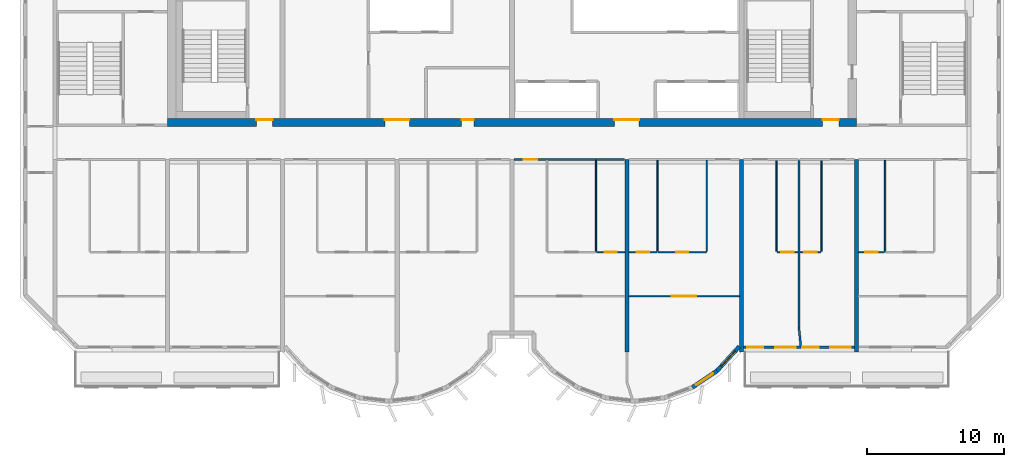
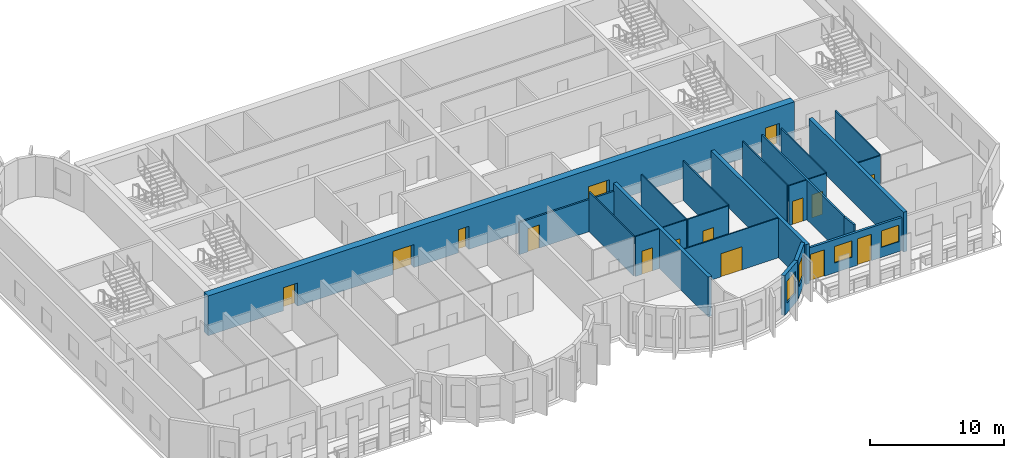
# One storey, part 5 of 12: 23 walls, 15 doors, 4 windows, 19 openings.
"""IFC4 building model written with IfcOpenShell, lengths in metres."""

from ifc_helpers import new_model, si_unit, direction, frame, frame_2d, origin, place, context, subcontext, project, spatial, rectangle, extrude, source, transform, mapped, material, layer, layer_set, type_object, element, fill, save


model = new_model("IFC4")

# Units and contexts
model_context = context("Model", 3, precision=1e-05, world=origin(), true_north=direction((0.0, 1.0)))
body_context = subcontext(model_context, "Body", "Model", "MODEL_VIEW")
ifc_project = project(units=[si_unit("LENGTHUNIT", "METRE"), si_unit("AREAUNIT", "SQUARE_METRE"), si_unit("VOLUMEUNIT", "CUBIC_METRE"), si_unit("PLANEANGLEUNIT", "RADIAN"), si_unit("MASSUNIT", "GRAM", prefix="KILO")], contexts=[model_context])

# Site, building, storey
site_placement = place(None, origin())
site = spatial("IfcSite", under=ifc_project, at=site_placement, CompositionType="ELEMENT")
building_placement = place(site_placement, origin())
building = spatial("IfcBuilding", under=site, at=building_placement, Name="Vanashikhar Sky Hotel", CompositionType="ELEMENT")
storey_placement = place(building_placement, frame((0.0, 0.0, 253.0)))
storey = spatial("IfcBuildingStorey", under=building, at=storey_placement, Name="L61", CompositionType="ELEMENT", Elevation=253.0)

# Wall, openings, doors
ifc_material_1 = material(Name="Concrete M60", Category="concrete")
ifc_layer_1 = layer(ifc_material_1, 0.60009765625)
ifc_layer_set_1 = layer_set([ifc_layer_1], Name="RC core shell wall 600 Concrete M60")
wall_type_1 = type_object("IfcWallType", Name="RC core shell wall 600 Concrete M60", PredefinedType="SHEAR", material=ifc_layer_set_1)
shared_shape_1 = source(origin(), body_context, "Body", "SweptSolid", [
    extrude(rectangle(XDim=50.400146484375, YDim=0.60009765625, at=frame_2d((25.2001953125, 0.0))), origin(), (0.0, 0.0, 1.0), 3.6201171875),
])
wall_1_placement = place(storey_placement, frame((25.199951171875, 22.300048828125, 0.0), z_axis=(0.0, 0.0, 1.0), x_axis=(1.0, 0.0, 0.0)))
wall_1 = element("IfcWall", 1, at=wall_1_placement, inside=storey, type_object=wall_type_1, Name="KW-L61-KS", PredefinedType="SHEAR", context=body_context, shape_type="MappedRepresentation", body=[
    mapped(shared_shape_1, transform((0.0, 0.0, 0.0), scale=1.0)),
])
shared_shape_2 = source(origin(), body_context, "Body", "SweptSolid", [
    extrude(rectangle(XDim=1.800048828125, YDim=2.10009765625, at=frame_2d((0.89990234375, 1.050048828125))), frame((0.0, 0.31005859375, 0.0), z_axis=(0.0, -1.0, 0.0), x_axis=(1.0, 0.0, 0.0)), (0.0, 0.0, 1.0), 0.6201171875),
])
opening_1_placement = place(wall_1_placement, frame((15.89990234375, 0.0, 0.0)))
opening_1 = element("IfcOpeningElement", 2, at=opening_1_placement, cuts=wall_1, Name="Opening DC-3-A", PredefinedType="OPENING", context=body_context, shape_type="MappedRepresentation", body=[
    mapped(shared_shape_2, transform((0.0, 0.0, 0.0), scale=1.0)),
])
shared_shape_3 = source(origin(), body_context, "Body", "SweptSolid", [
    extrude(rectangle(XDim=0.89990234375, YDim=2.10009765625, at=frame_2d((0.449951171875, 1.050048828125))), frame((0.0, 0.31005859375, 0.0), z_axis=(0.0, -1.0, 0.0), x_axis=(1.0, 0.0, 0.0)), (0.0, 0.0, 1.0), 0.6201171875),
])
opening_2_placement = place(wall_1_placement, frame((21.512939453125, 0.0, 0.0)))
opening_2 = element("IfcOpeningElement", 3, at=opening_2_placement, cuts=wall_1, Name="Opening DC-4-A", PredefinedType="OPENING", context=body_context, shape_type="MappedRepresentation", body=[
    mapped(shared_shape_3, transform((0.0, 0.0, 0.0), scale=1.0)),
])
opening_3_placement = place(wall_1_placement, frame((32.699951171875, 0.0, 0.0)))
opening_3 = element("IfcOpeningElement", 4, at=opening_3_placement, cuts=wall_1, Name="Opening DC-3-A", PredefinedType="OPENING", context=body_context, shape_type="MappedRepresentation", body=[
    mapped(shared_shape_2, transform((0.0, 0.0, 0.0), scale=1.0)),
])
shared_shape_4 = source(origin(), body_context, "Body", "SweptSolid", [
    extrude(rectangle(XDim=1.199951171875, YDim=2.10009765625, at=frame_2d((0.60009765625, 1.050048828125))), frame((0.0, 0.31005859375, 0.0), z_axis=(0.0, -1.0, 0.0), x_axis=(1.0, 0.0, 0.0)), (0.0, 0.0, 1.0), 0.6201171875),
])
opening_4_placement = place(wall_1_placement, frame((6.488037109375, 0.0, 0.0)))
opening_4 = element("IfcOpeningElement", 5, at=opening_4_placement, cuts=wall_1, Name="Opening DC-2", PredefinedType="OPENING", context=body_context, shape_type="MappedRepresentation", body=[
    mapped(shared_shape_4, transform((0.0, 0.0, 0.0), scale=1.0)),
])
opening_5_placement = place(wall_1_placement, frame((47.925048828125, 0.0, 0.0)))
opening_5 = element("IfcOpeningElement", 6, at=opening_5_placement, cuts=wall_1, Name="Opening DC-2", PredefinedType="OPENING", context=body_context, shape_type="MappedRepresentation", body=[
    mapped(shared_shape_4, transform((0.0, 0.0, 0.0), scale=1.0)),
])
ifc_material_2 = material(Name="Steel", Category="steel")
door_type_1 = type_object("IfcDoorType", Name="Firefighting lobby door 1200 FD120", OperationType="NOTDEFINED", PredefinedType="DOOR", material=ifc_material_2)
shared_shape_5 = source(origin(), body_context, "Body", "SweptSolid", [
    extrude(rectangle(XDim=1.199951171875, YDim=2.10009765625, at=frame_2d((0.60009765625, 1.050048828125))), frame((0.0, 0.22509765625, 0.0), z_axis=(0.0, -1.0, 0.0), x_axis=(1.0, 0.0, 0.0)), (0.0, 0.0, 1.0), 0.050048828125),
])
door_1_placement = place(opening_4_placement, origin())
door_1 = element("IfcDoor", 7, at=door_1_placement, inside=storey, type_object=door_type_1, Name="Firefighting lobby door 1200 FD120", OperationType="SINGLE_SWING_RIGHT", OverallHeight=2.10009765625, OverallWidth=1.199951171875, PredefinedType="DOOR", context=body_context, shape_type="MappedRepresentation", body=[
    mapped(shared_shape_5, transform((0.0, 0.0, 0.0), scale=1.0)),
])
fill(opening_4, door_1)
door_2_placement = place(opening_5_placement, origin())
door_2 = element("IfcDoor", 8, at=door_2_placement, inside=storey, type_object=door_type_1, Name="Firefighting lobby door 1200 FD120", OperationType="SINGLE_SWING_RIGHT", OverallHeight=2.10009765625, OverallWidth=1.199951171875, PredefinedType="DOOR", context=body_context, shape_type="MappedRepresentation", body=[
    mapped(shared_shape_5, transform((0.0, 0.0, 0.0), scale=1.0)),
])
fill(opening_5, door_2)
door_type_2 = type_object("IfcDoorType", Name="Service door 900 FD60", OperationType="NOTDEFINED", PredefinedType="DOOR", material=ifc_material_2)
shared_shape_6 = source(origin(), body_context, "Body", "SweptSolid", [
    extrude(rectangle(XDim=0.89990234375, YDim=2.10009765625, at=frame_2d((0.449951171875, 1.050048828125))), frame((0.0, 0.22509765625, 0.0), z_axis=(0.0, -1.0, 0.0), x_axis=(1.0, 0.0, 0.0)), (0.0, 0.0, 1.0), 0.050048828125),
])
door_3_placement = place(opening_2_placement, origin())
door_3 = element("IfcDoor", 9, at=door_3_placement, inside=storey, type_object=door_type_2, Name="Service door 900 FD60", OperationType="SINGLE_SWING_RIGHT", OverallHeight=2.10009765625, OverallWidth=0.89990234375, PredefinedType="DOOR", context=body_context, shape_type="MappedRepresentation", body=[
    mapped(shared_shape_6, transform((0.0, 0.0, 0.0), scale=1.0)),
])
fill(opening_2, door_3)
ifc_material_3 = material(Name="Glass", Category="glass")
door_type_3 = type_object("IfcDoorType", Name="Lift lobby entrance door 1800 FD30S", OperationType="NOTDEFINED", PredefinedType="DOOR", material=ifc_material_3)
shared_shape_7 = source(origin(), body_context, "Body", "SweptSolid", [
    extrude(rectangle(XDim=1.800048828125, YDim=2.10009765625, at=frame_2d((0.89990234375, 1.050048828125))), frame((0.0, 0.22509765625, 0.0), z_axis=(0.0, -1.0, 0.0), x_axis=(1.0, 0.0, 0.0)), (0.0, 0.0, 1.0), 0.050048828125),
])
door_4_placement = place(opening_1_placement, origin())
door_4 = element("IfcDoor", 10, at=door_4_placement, inside=storey, type_object=door_type_3, Name="Lift lobby entrance door 1800 FD30S", OperationType="DOUBLE_DOOR_SINGLE_SWING", OverallHeight=2.10009765625, OverallWidth=1.800048828125, PredefinedType="DOOR", context=body_context, shape_type="MappedRepresentation", body=[
    mapped(shared_shape_7, transform((0.0, 0.0, 0.0), scale=1.0)),
])
fill(opening_1, door_4)
door_5_placement = place(opening_3_placement, origin())
door_5 = element("IfcDoor", 11, at=door_5_placement, inside=storey, type_object=door_type_3, Name="Lift lobby entrance door 1800 FD30S", OperationType="DOUBLE_DOOR_SINGLE_SWING", OverallHeight=2.10009765625, OverallWidth=1.800048828125, PredefinedType="DOOR", context=body_context, shape_type="MappedRepresentation", body=[
    mapped(shared_shape_7, transform((0.0, 0.0, 0.0), scale=1.0)),
])
fill(opening_3, door_5)

# Walls
ifc_layer_2 = layer(ifc_material_1, 0.300048828125)
ifc_layer_set_2 = layer_set([ifc_layer_2], Name="RC shear wall 300 Concrete M60")
wall_type_2 = type_object("IfcWallType", Name="RC shear wall 300 Concrete M60", PredefinedType="SHEAR", material=ifc_layer_set_2)
shared_shape_8 = source(origin(), body_context, "Body", "SweptSolid", [
    extrude(rectangle(XDim=14.10009765625, YDim=0.300048828125, at=frame_2d((7.050048828125, 0.0))), origin(), (0.0, 0.0, 1.0), 3.6201171875),
])
for number, where, z_axis, x_axis, name in (
    (12, (58.800048828125, 5.5, 0.0), (0.0, 0.0, 1.0), (0.0, 1.0, 0.0), "CW-L61-XW08-1"),
    (13, (67.199951171875, 5.5, 0.0), (0.0, 0.0, 1.0), (0.0, 1.0, 0.0), "CW-L61-XW09-1"),
    (14, (75.60009765625, 5.5, 0.0), (0.0, 0.0, 1.0), (0.0, 1.0, 0.0), "CW-L61-XW10-1"),
):
    element("IfcWall", number, at=place(storey_placement, frame(where, z_axis=z_axis, x_axis=x_axis)), inside=storey, type_object=wall_type_2, Name=name, PredefinedType="SHEAR", context=body_context, shape_type="MappedRepresentation", body=[
        mapped(shared_shape_8, transform((0.0, 0.0, 0.0), scale=1.0)),
    ])

# Wall, openings, windows, doors
ifc_material_4 = material(Name="Concrete M50", Category="concrete")
ifc_layer_3 = layer(ifc_material_4, 0.199951171875)
ifc_layer_set_3 = layer_set([ifc_layer_3], Name="Front window wall 200")
wall_type_3 = type_object("IfcWallType", Name="Front window wall 200", PredefinedType="SOLIDWALL", material=ifc_layer_set_3)
shared_shape_9 = source(origin(), body_context, "Body", "SweptSolid", [
    extrude(rectangle(XDim=8.099853515625, YDim=0.199951171875, at=frame_2d((4.0498046875, 0.0))), origin(), (0.0, 0.0, 1.0), 3.02001953125),
])
wall_2_placement = place(storey_placement, frame((67.35009765625, 5.85009765625, 0.0), z_axis=(0.0, 0.0, 1.0), x_axis=(1.0, 0.0, 0.0)))
wall_2 = element("IfcWall", 15, at=wall_2_placement, inside=storey, type_object=wall_type_3, Name="Front window wall", PredefinedType="SOLIDWALL", context=body_context, shape_type="MappedRepresentation", body=[
    mapped(shared_shape_9, transform((0.0, 0.0, 0.0), scale=1.0)),
])
shared_shape_10 = source(origin(), body_context, "Body", "SweptSolid", [
    extrude(rectangle(XDim=1.199951171875, YDim=2.39990234375, at=frame_2d((0.60009765625, 1.199951171875))), frame((0.0, 0.10986328125, 0.0), z_axis=(0.0, -1.0, 0.0), x_axis=(1.0, 0.0, 0.0)), (0.0, 0.0, 1.0), 0.219970703125),
])
opening_6_placement = place(wall_2_placement, frame((0.25, 0.0, 0.0)))
opening_6 = element("IfcOpeningElement", 16, at=opening_6_placement, cuts=wall_2, Name="Opening BD-03", PredefinedType="OPENING", context=body_context, shape_type="MappedRepresentation", body=[
    mapped(shared_shape_10, transform((0.0, 0.0, 0.0), scale=1.0)),
])
shared_shape_11 = source(origin(), body_context, "Body", "SweptSolid", [
    extrude(rectangle(XDim=1.5, YDim=1.5, at=frame_2d((0.75, 0.75))), frame((0.0, 0.10986328125, 0.0), z_axis=(0.0, -1.0, 0.0), x_axis=(1.0, 0.0, 0.0)), (0.0, 0.0, 1.0), 0.219970703125),
])
opening_7_placement = place(wall_2_placement, frame((2.300048828125, 0.0, 0.89990234375)))
opening_7 = element("IfcOpeningElement", 17, at=opening_7_placement, cuts=wall_2, Name="Opening WN-1", PredefinedType="OPENING", context=body_context, shape_type="MappedRepresentation", body=[
    mapped(shared_shape_11, transform((0.0, 0.0, 0.0), scale=1.0)),
])
opening_8_placement = place(wall_2_placement, frame((4.300048828125, 0.0, 0.0)))
opening_8 = element("IfcOpeningElement", 18, at=opening_8_placement, cuts=wall_2, Name="Opening BD-04", PredefinedType="OPENING", context=body_context, shape_type="MappedRepresentation", body=[
    mapped(shared_shape_10, transform((0.0, 0.0, 0.0), scale=1.0)),
])
opening_9_placement = place(wall_2_placement, frame((6.35009765625, 0.0, 0.89990234375)))
opening_9 = element("IfcOpeningElement", 19, at=opening_9_placement, cuts=wall_2, Name="Opening WN-1", PredefinedType="OPENING", context=body_context, shape_type="MappedRepresentation", body=[
    mapped(shared_shape_11, transform((0.0, 0.0, 0.0), scale=1.0)),
])
window_type_1 = type_object("IfcWindowType", Name="Window 1500 x 1500", PartitioningType="SINGLE_PANEL", PredefinedType="WINDOW", material=ifc_material_3)
shared_shape_12 = source(origin(), body_context, "Body", "SweptSolid", [
    extrude(rectangle(XDim=1.5, YDim=1.5, at=frame_2d((0.75, 0.75))), frame((0.0, 0.030029296875, 0.0), z_axis=(0.0, -1.0, 0.0), x_axis=(1.0, 0.0, 0.0)), (0.0, 0.0, 1.0), 0.06005859375),
])
window_1_placement = place(opening_7_placement, origin())
window_1 = element("IfcWindow", 20, at=window_1_placement, inside=storey, type_object=window_type_1, Name="Window WN-1", OverallHeight=1.5, OverallWidth=1.5, PartitioningType="SINGLE_PANEL", PredefinedType="WINDOW", context=body_context, shape_type="MappedRepresentation", body=[
    mapped(shared_shape_12, transform((0.0, 0.0, 0.0), scale=1.0)),
])
fill(opening_7, window_1)
window_2_placement = place(opening_9_placement, origin())
window_2 = element("IfcWindow", 21, at=window_2_placement, inside=storey, type_object=window_type_1, Name="Window WN-1", OverallHeight=1.5, OverallWidth=1.5, PartitioningType="SINGLE_PANEL", PredefinedType="WINDOW", context=body_context, shape_type="MappedRepresentation", body=[
    mapped(shared_shape_12, transform((0.0, 0.0, 0.0), scale=1.0)),
])
fill(opening_9, window_2)
ifc_material_5 = material(Name="Aluminium", Category="aluminium")
door_type_4 = type_object("IfcDoorType", Name="Balcony sliding door 1200 x 2400", OperationType="NOTDEFINED", PredefinedType="DOOR", material=ifc_material_5)
shared_shape_13 = source(origin(), body_context, "Body", "SweptSolid", [
    extrude(rectangle(XDim=1.199951171875, YDim=2.39990234375, at=frame_2d((0.60009765625, 1.199951171875))), frame((0.0, 0.02490234375, 0.0), z_axis=(0.0, -1.0, 0.0), x_axis=(1.0, 0.0, 0.0)), (0.0, 0.0, 1.0), 0.050048828125),
])
door_6_placement = place(opening_6_placement, origin())
door_6 = element("IfcDoor", 22, at=door_6_placement, inside=storey, type_object=door_type_4, Name="Balcony sliding door", OperationType="SLIDING_TO_LEFT", OverallHeight=2.39990234375, OverallWidth=1.199951171875, PredefinedType="DOOR", context=body_context, shape_type="MappedRepresentation", body=[
    mapped(shared_shape_13, transform((0.0, 0.0, 0.0), scale=1.0)),
])
fill(opening_6, door_6)
door_7_placement = place(opening_8_placement, origin())
door_7 = element("IfcDoor", 23, at=door_7_placement, inside=storey, type_object=door_type_4, Name="Balcony sliding door", OperationType="SLIDING_TO_RIGHT", OverallHeight=2.39990234375, OverallWidth=1.199951171875, PredefinedType="DOOR", context=body_context, shape_type="MappedRepresentation", body=[
    mapped(shared_shape_13, transform((0.0, 0.0, 0.0), scale=1.0)),
])
fill(opening_8, door_7)

# Wall, opening, window
ifc_layer_4 = layer(ifc_material_4, 0.300048828125)
ifc_layer_set_4 = layer_set([ifc_layer_4], Name="Lobe wall 300")
wall_type_4 = type_object("IfcWallType", Name="Lobe wall 300", PredefinedType="SOLIDWALL", material=ifc_layer_set_4)
shared_shape_14 = source(origin(), body_context, "Body", "SweptSolid", [
    extrude(rectangle(XDim=2.398193359375, YDim=0.300048828125, at=frame_2d((1.19921875, 0.0))), origin(), (0.0, 0.0, 1.0), 3.6201171875),
])
wall_3_placement = place(storey_placement, frame((65.404296875, 4.13134765625, 0.0), z_axis=(0.0, 0.0, 1.0), x_axis=(0.675374189419, 0.737475222815, 0.0)))
wall_3 = element("IfcWall", 24, at=wall_3_placement, inside=storey, type_object=wall_type_4, Name="Lobe wall", PredefinedType="SOLIDWALL", context=body_context, shape_type="MappedRepresentation", body=[
    mapped(shared_shape_14, transform((0.0, 0.0, 0.0), scale=1.0)),
])
shared_shape_15 = source(origin(), body_context, "Body", "SweptSolid", [
    extrude(rectangle(XDim=1.5, YDim=2.0, at=frame_2d((0.75, 1.0))), frame((0.0, 0.16015625, 0.0), z_axis=(0.0, -1.0, 0.0), x_axis=(1.0, 0.0, 0.0)), (0.0, 0.0, 1.0), 0.320068359375),
])
opening_10_placement = place(wall_3_placement, frame((0.44921875, 0.0, 0.89990234375)))
opening_10 = element("IfcOpeningElement", 25, at=opening_10_placement, cuts=wall_3, Name="Opening WN-2", PredefinedType="OPENING", context=body_context, shape_type="MappedRepresentation", body=[
    mapped(shared_shape_15, transform((0.0, 0.0, 0.0), scale=1.0)),
])
window_type_2 = type_object("IfcWindowType", Name="Lobe window 1500 x 2000", PartitioningType="SINGLE_PANEL", PredefinedType="WINDOW", material=ifc_material_3)
shared_shape_16 = source(origin(), body_context, "Body", "SweptSolid", [
    extrude(rectangle(XDim=1.5, YDim=2.0, at=frame_2d((0.75, 1.0))), frame((0.0, 0.030029296875, 0.0), z_axis=(0.0, -1.0, 0.0), x_axis=(1.0, 0.0, 0.0)), (0.0, 0.0, 1.0), 0.06005859375),
])
window_3_placement = place(opening_10_placement, origin())
window_3 = element("IfcWindow", 26, at=window_3_placement, inside=storey, type_object=window_type_2, Name="Window WN-2", OverallHeight=2.0, OverallWidth=1.5, PartitioningType="SINGLE_PANEL", PredefinedType="WINDOW", context=body_context, shape_type="MappedRepresentation", body=[
    mapped(shared_shape_16, transform((0.0, 0.0, 0.0), scale=1.0)),
])
fill(opening_10, window_3)

shared_shape_17 = source(origin(), body_context, "Body", "SweptSolid", [
    extrude(rectangle(XDim=2.17578125, YDim=0.300048828125, at=frame_2d((1.087890625, 0.0))), origin(), (0.0, 0.0, 1.0), 3.6201171875),
])
wall_4_placement = place(storey_placement, frame((63.59912109375, 2.91650390625, 0.0), z_axis=(0.0, 0.0, 1.0), x_axis=(0.829625727223, 0.558319937607, 0.0)))
wall_4 = element("IfcWall", 27, at=wall_4_placement, inside=storey, type_object=wall_type_4, Name="Lobe wall", PredefinedType="SOLIDWALL", context=body_context, shape_type="MappedRepresentation", body=[
    mapped(shared_shape_17, transform((0.0, 0.0, 0.0), scale=1.0)),
])
opening_11_placement = place(wall_4_placement, frame((0.337890625, 0.0, 0.89990234375)))
opening_11 = element("IfcOpeningElement", 28, at=opening_11_placement, cuts=wall_4, Name="Opening WN-2", PredefinedType="OPENING", context=body_context, shape_type="MappedRepresentation", body=[
    mapped(shared_shape_15, transform((0.0, 0.0, 0.0), scale=1.0)),
])
window_4_placement = place(opening_11_placement, origin())
window_4 = element("IfcWindow", 29, at=window_4_placement, inside=storey, type_object=window_type_2, Name="Window WN-2", OverallHeight=2.0, OverallWidth=1.5, PartitioningType="SINGLE_PANEL", PredefinedType="WINDOW", context=body_context, shape_type="MappedRepresentation", body=[
    mapped(shared_shape_16, transform((0.0, 0.0, 0.0), scale=1.0)),
])
fill(opening_11, window_4)

# Wall
ifc_material_6 = material(Name="Gypsum plasterboard partition")
ifc_layer_5 = layer(ifc_material_6, 0.14990234375)
ifc_layer_set_5 = layer_set([ifc_layer_5], Name="Corridor and demising partition 150")
wall_type_5 = type_object("IfcWallType", Name="Corridor and demising partition 150", PredefinedType="PARTITIONING", material=ifc_layer_set_5)
shared_shape_18 = source(origin(), body_context, "Body", "SweptSolid", [
    extrude(rectangle(XDim=12.27490234375, YDim=0.14990234375, at=frame_2d((6.137451171875, 0.0))), origin(), (0.0, 0.0, 1.0), 3.6201171875),
])
wall_5_placement = place(storey_placement, frame((71.39990234375, 7.25, 0.0), z_axis=(0.0, 0.0, 1.0), x_axis=(0.0, 1.0, 0.0)))
element("IfcWall", 30, at=wall_5_placement, inside=storey, type_object=wall_type_5, Name="W-L61-PW041", PredefinedType="PARTITIONING", context=body_context, shape_type="MappedRepresentation", body=[
    mapped(shared_shape_18, transform((0.0, 0.0, 0.0), scale=1.0)),
])

# Wall, opening, door
ifc_layer_6 = layer(ifc_material_6, 0.10009765625)
ifc_layer_set_6 = layer_set([ifc_layer_6], Name="Wet room partition 100")
wall_type_6 = type_object("IfcWallType", Name="Wet room partition 100", PredefinedType="PARTITIONING", material=ifc_layer_set_6)
shared_shape_19 = source(origin(), body_context, "Body", "SweptSolid", [
    extrude(rectangle(XDim=3.5, YDim=0.10009765625, at=frame_2d((1.75, 0.0))), origin(), (0.0, 0.0, 1.0), 3.6201171875),
])
wall_6_placement = place(storey_placement, frame((61.10009765625, 12.800048828125, 0.0), z_axis=(0.0, 0.0, 1.0), x_axis=(1.0, 0.0, 0.0)))
wall_6 = element("IfcWall", 31, at=wall_6_placement, inside=storey, type_object=wall_type_6, Name="W-L61-PW031", PredefinedType="PARTITIONING", context=body_context, shape_type="MappedRepresentation", body=[
    mapped(shared_shape_19, transform((0.0, 0.0, 0.0), scale=1.0)),
])
shared_shape_20 = source(origin(), body_context, "Body", "SweptSolid", [
    extrude(rectangle(XDim=0.89990234375, YDim=2.10009765625, at=frame_2d((0.449951171875, 1.050048828125))), frame((0.0, 0.06005859375, 0.0), z_axis=(0.0, -1.0, 0.0), x_axis=(1.0, 0.0, 0.0)), (0.0, 0.0, 1.0), 0.1201171875),
])
opening_12_placement = place(wall_6_placement, frame((1.300048828125, 0.0, 0.0)))
opening_12 = element("IfcOpeningElement", 32, at=opening_12_placement, cuts=wall_6, Name="Opening D-02", PredefinedType="OPENING", context=body_context, shape_type="MappedRepresentation", body=[
    mapped(shared_shape_20, transform((0.0, 0.0, 0.0), scale=1.0)),
])
ifc_material_7 = material(Name="Timber door", Category="wood")
door_type_5 = type_object("IfcDoorType", Name="Internal door 900", OperationType="NOTDEFINED", PredefinedType="DOOR", material=ifc_material_7)
shared_shape_21 = source(origin(), body_context, "Body", "SweptSolid", [
    extrude(rectangle(XDim=0.89990234375, YDim=2.10009765625, at=frame_2d((0.449951171875, 1.050048828125))), frame((0.0, 0.02490234375, 0.0), z_axis=(0.0, -1.0, 0.0), x_axis=(1.0, 0.0, 0.0)), (0.0, 0.0, 1.0), 0.050048828125),
])
door_8_placement = place(opening_12_placement, origin())
door_8 = element("IfcDoor", 33, at=door_8_placement, inside=storey, type_object=door_type_5, Name="D-L61-019", OperationType="SINGLE_SWING_RIGHT", OverallHeight=2.10009765625, OverallWidth=0.89990234375, PredefinedType="DOOR", context=body_context, shape_type="MappedRepresentation", body=[
    mapped(shared_shape_21, transform((0.0, 0.0, 0.0), scale=1.0)),
])
fill(opening_12, door_8)

shared_shape_22 = source(origin(), body_context, "Body", "SweptSolid", [
    extrude(rectangle(XDim=8.099853515625, YDim=0.14990234375, at=frame_2d((4.0498046875, 0.0))), origin(), (0.0, 0.0, 1.0), 2.919921875),
])
wall_7_placement = place(storey_placement, frame((50.550048828125, 19.60009765625, 0.0), z_axis=(0.0, 0.0, 1.0), x_axis=(1.0, 0.0, 0.0)))
wall_7 = element("IfcWall", 34, at=wall_7_placement, inside=storey, type_object=wall_type_5, Name="W-L61-PW028", PredefinedType="PARTITIONING", context=body_context, shape_type="MappedRepresentation", body=[
    mapped(shared_shape_22, transform((0.0, 0.0, 0.0), scale=1.0)),
])
shared_shape_23 = source(origin(), body_context, "Body", "SweptSolid", [
    extrude(rectangle(XDim=1.0, YDim=2.10009765625, at=frame_2d((0.5, 1.050048828125))), frame((0.0, 0.0849609375, 0.0), z_axis=(0.0, -1.0, 0.0), x_axis=(1.0, 0.0, 0.0)), (0.0, 0.0, 1.0), 0.169921875),
])
opening_13_placement = place(wall_7_placement, frame((0.699951171875, 0.0, 0.0)))
opening_13 = element("IfcOpeningElement", 35, at=opening_13_placement, cuts=wall_7, Name="Opening D-01", PredefinedType="OPENING", context=body_context, shape_type="MappedRepresentation", body=[
    mapped(shared_shape_23, transform((0.0, 0.0, 0.0), scale=1.0)),
])
ifc_material_8 = material(Name="Timber fire door", Category="wood")
door_type_6 = type_object("IfcDoorType", Name="Guest entry door 1000 FD30S", OperationType="NOTDEFINED", PredefinedType="DOOR", material=ifc_material_8)
shared_shape_24 = source(origin(), body_context, "Body", "SweptSolid", [
    extrude(rectangle(XDim=1.0, YDim=2.10009765625, at=frame_2d((0.5, 1.050048828125))), frame((0.0, 0.02490234375, 0.0), z_axis=(0.0, -1.0, 0.0), x_axis=(1.0, 0.0, 0.0)), (0.0, 0.0, 1.0), 0.050048828125),
])
door_9_placement = place(opening_13_placement, origin())
door_9 = element("IfcDoor", 36, at=door_9_placement, inside=storey, type_object=door_type_6, Name="D-L61-018", OperationType="SINGLE_SWING_LEFT", OverallHeight=2.10009765625, OverallWidth=1.0, PredefinedType="DOOR", context=body_context, shape_type="MappedRepresentation", body=[
    mapped(shared_shape_24, transform((0.0, 0.0, 0.0), scale=1.0)),
])
fill(opening_13, door_9)

shared_shape_25 = source(origin(), body_context, "Body", "SweptSolid", [
    extrude(rectangle(XDim=8.10009765625, YDim=0.10009765625, at=frame_2d((4.050048828125, 0.0))), origin(), (0.0, 0.0, 1.0), 3.6201171875),
])
wall_8_placement = place(storey_placement, frame((58.949951171875, 9.58203125, 0.0), z_axis=(0.0, 0.0, 1.0), x_axis=(1.0, 0.0, 0.0)))
wall_8 = element("IfcWall", 37, at=wall_8_placement, inside=storey, type_object=wall_type_6, Name="W-L61-PW033", PredefinedType="PARTITIONING", context=body_context, shape_type="MappedRepresentation", body=[
    mapped(shared_shape_25, transform((0.0, 0.0, 0.0), scale=1.0)),
])
shared_shape_26 = source(origin(), body_context, "Body", "SweptSolid", [
    extrude(rectangle(XDim=1.800048828125, YDim=2.10009765625, at=frame_2d((0.89990234375, 1.050048828125))), frame((0.0, 0.06005859375, 0.0), z_axis=(0.0, -1.0, 0.0), x_axis=(1.0, 0.0, 0.0)), (0.0, 0.0, 1.0), 0.1201171875),
])
opening_14_placement = place(wall_8_placement, frame((3.14990234375, 0.0, 0.0)))
opening_14 = element("IfcOpeningElement", 38, at=opening_14_placement, cuts=wall_8, Name="Opening D-08", PredefinedType="OPENING", context=body_context, shape_type="MappedRepresentation", body=[
    mapped(shared_shape_26, transform((0.0, 0.0, 0.0), scale=1.0)),
])
door_type_7 = type_object("IfcDoorType", Name="Double leaf door 1800", OperationType="NOTDEFINED", PredefinedType="DOOR", material=ifc_material_7)
shared_shape_27 = source(origin(), body_context, "Body", "SweptSolid", [
    extrude(rectangle(XDim=1.800048828125, YDim=2.10009765625, at=frame_2d((0.89990234375, 1.050048828125))), frame((0.0, 0.02490234375, 0.0), z_axis=(0.0, -1.0, 0.0), x_axis=(1.0, 0.0, 0.0)), (0.0, 0.0, 1.0), 0.050048828125),
])
door_10_placement = place(opening_14_placement, origin())
door_10 = element("IfcDoor", 39, at=door_10_placement, inside=storey, type_object=door_type_7, Name="D-L61-021", OperationType="DOUBLE_DOOR_SINGLE_SWING", OverallHeight=2.10009765625, OverallWidth=1.800048828125, PredefinedType="DOOR", context=body_context, shape_type="MappedRepresentation", body=[
    mapped(shared_shape_27, transform((0.0, 0.0, 0.0), scale=1.0)),
])
fill(opening_14, door_10)

# Walls
shared_shape_28 = source(origin(), body_context, "Body", "SweptSolid", [
    extrude(rectangle(XDim=1.306640625, YDim=0.14990234375, at=frame_2d((0.6533203125, 0.0))), origin(), (0.0, 0.0, 1.0), 3.6201171875),
])
wall_9_placement = place(storey_placement, frame((71.530029296875, 5.949951171875, 0.0), z_axis=(0.0, 0.0, 1.0), x_axis=(-0.099596223396, 0.99502793543, 0.0)))
element("IfcWall", 40, at=wall_9_placement, inside=storey, type_object=wall_type_5, Name="W-L61-PW041B0", PredefinedType="PARTITIONING", context=body_context, shape_type="MappedRepresentation", body=[
    mapped(shared_shape_28, transform((0.0, 0.0, 0.0), scale=1.0)),
])
shared_shape_29 = source(origin(), body_context, "Body", "SweptSolid", [
    extrude(rectangle(XDim=6.64990234375, YDim=0.10009765625, at=frame_2d((3.324951171875, 0.0))), origin(), (0.0, 0.0, 1.0), 3.6201171875),
])
for number, where, z_axis, x_axis, name in (
    (41, (56.550048828125, 12.875, 0.0), (0.0, 0.0, 1.0), (0.0, 1.0, 0.0), "W-L61-PW024"),
    (42, (64.64990234375, 12.875, 0.0), (0.0, 0.0, 1.0), (0.0, 1.0, 0.0), "W-L61-PW029"),
    (43, (61.050048828125, 12.875, 0.0), (0.0, 0.0, 1.0), (0.0, 1.0, 0.0), "W-L61-PW030"),
    (44, (69.75, 12.875, 0.0), (0.0, 0.0, 1.0), (0.0, 1.0, 0.0), "W-L61-PW035"),
    (45, (73.050048828125, 12.875, 0.0), (0.0, 0.0, 1.0), (0.0, 1.0, 0.0), "W-L61-PW038"),
    (46, (77.699951171875, 12.875, 0.0), (0.0, 0.0, 1.0), (0.0, 1.0, 0.0), "W-L61-PW043"),
):
    element("IfcWall", number, at=place(storey_placement, frame(where, z_axis=z_axis, x_axis=x_axis)), inside=storey, type_object=wall_type_6, Name=name, PredefinedType="PARTITIONING", context=body_context, shape_type="MappedRepresentation", body=[
        mapped(shared_shape_29, transform((0.0, 0.0, 0.0), scale=1.0)),
    ])

# Wall, opening, door
shared_shape_30 = source(origin(), body_context, "Body", "SweptSolid", [
    extrude(rectangle(XDim=2.0498046875, YDim=0.10009765625, at=frame_2d((1.02490234375, 0.0))), origin(), (0.0, 0.0, 1.0), 3.6201171875),
])
wall_10_placement = place(storey_placement, frame((56.60009765625, 12.800048828125, 0.0), z_axis=(0.0, 0.0, 1.0), x_axis=(1.0, 0.0, 0.0)))
wall_10 = element("IfcWall", 47, at=wall_10_placement, inside=storey, type_object=wall_type_6, Name="W-L61-PW026", PredefinedType="PARTITIONING", context=body_context, shape_type="MappedRepresentation", body=[
    mapped(shared_shape_30, transform((0.0, 0.0, 0.0), scale=1.0)),
])
opening_15_placement = place(wall_10_placement, frame((0.574951171875, 0.0, 0.0)))
opening_15 = element("IfcOpeningElement", 48, at=opening_15_placement, cuts=wall_10, Name="Opening D-02", PredefinedType="OPENING", context=body_context, shape_type="MappedRepresentation", body=[
    mapped(shared_shape_20, transform((0.0, 0.0, 0.0), scale=1.0)),
])
door_11_placement = place(opening_15_placement, origin())
door_11 = element("IfcDoor", 49, at=door_11_placement, inside=storey, type_object=door_type_5, Name="D-L61-016", OperationType="SINGLE_SWING_LEFT", OverallHeight=2.10009765625, OverallWidth=0.89990234375, PredefinedType="DOOR", context=body_context, shape_type="MappedRepresentation", body=[
    mapped(shared_shape_21, transform((0.0, 0.0, 0.0), scale=1.0)),
])
fill(opening_15, door_11)

shared_shape_31 = source(origin(), body_context, "Body", "SweptSolid", [
    extrude(rectangle(XDim=2.050048828125, YDim=0.10009765625, at=frame_2d((1.02490234375, 0.0))), origin(), (0.0, 0.0, 1.0), 3.6201171875),
])
wall_11_placement = place(storey_placement, frame((58.949951171875, 12.800048828125, 0.0), z_axis=(0.0, 0.0, 1.0), x_axis=(1.0, 0.0, 0.0)))
wall_11 = element("IfcWall", 50, at=wall_11_placement, inside=storey, type_object=wall_type_6, Name="W-L61-PW032", PredefinedType="PARTITIONING", context=body_context, shape_type="MappedRepresentation", body=[
    mapped(shared_shape_31, transform((0.0, 0.0, 0.0), scale=1.0)),
])
opening_16_placement = place(wall_11_placement, frame((0.574951171875, 0.0, 0.0)))
opening_16 = element("IfcOpeningElement", 51, at=opening_16_placement, cuts=wall_11, Name="Opening D-02", PredefinedType="OPENING", context=body_context, shape_type="MappedRepresentation", body=[
    mapped(shared_shape_20, transform((0.0, 0.0, 0.0), scale=1.0)),
])
door_12_placement = place(opening_16_placement, origin())
door_12 = element("IfcDoor", 52, at=door_12_placement, inside=storey, type_object=door_type_5, Name="D-L61-020", OperationType="SINGLE_SWING_RIGHT", OverallHeight=2.10009765625, OverallWidth=0.89990234375, PredefinedType="DOOR", context=body_context, shape_type="MappedRepresentation", body=[
    mapped(shared_shape_21, transform((0.0, 0.0, 0.0), scale=1.0)),
])
fill(opening_16, door_12)

shared_shape_32 = source(origin(), body_context, "Body", "SweptSolid", [
    extrude(rectangle(XDim=1.52490234375, YDim=0.10009765625, at=frame_2d((0.762451171875, 0.0))), origin(), (0.0, 0.0, 1.0), 3.6201171875),
])
wall_12_placement = place(storey_placement, frame((69.800048828125, 12.800048828125, 0.0), z_axis=(0.0, 0.0, 1.0), x_axis=(1.0, 0.0, 0.0)))
wall_12 = element("IfcWall", 53, at=wall_12_placement, inside=storey, type_object=wall_type_6, Name="W-L61-PW036", PredefinedType="PARTITIONING", context=body_context, shape_type="MappedRepresentation", body=[
    mapped(shared_shape_32, transform((0.0, 0.0, 0.0), scale=1.0)),
])
opening_17_placement = place(wall_12_placement, frame((0.31201171875, 0.0, 0.0)))
opening_17 = element("IfcOpeningElement", 54, at=opening_17_placement, cuts=wall_12, Name="Opening D-02", PredefinedType="OPENING", context=body_context, shape_type="MappedRepresentation", body=[
    mapped(shared_shape_20, transform((0.0, 0.0, 0.0), scale=1.0)),
])
door_13_placement = place(opening_17_placement, origin())
door_13 = element("IfcDoor", 55, at=door_13_placement, inside=storey, type_object=door_type_5, Name="D-L61-023", OperationType="SINGLE_SWING_LEFT", OverallHeight=2.10009765625, OverallWidth=0.89990234375, PredefinedType="DOOR", context=body_context, shape_type="MappedRepresentation", body=[
    mapped(shared_shape_21, transform((0.0, 0.0, 0.0), scale=1.0)),
])
fill(opening_17, door_13)

wall_13_placement = place(storey_placement, frame((71.47509765625, 12.800048828125, 0.0), z_axis=(0.0, 0.0, 1.0), x_axis=(1.0, 0.0, 0.0)))
wall_13 = element("IfcWall", 56, at=wall_13_placement, inside=storey, type_object=wall_type_6, Name="W-L61-PW039", PredefinedType="PARTITIONING", context=body_context, shape_type="MappedRepresentation", body=[
    mapped(shared_shape_32, transform((0.0, 0.0, 0.0), scale=1.0)),
])
opening_18_placement = place(wall_13_placement, frame((0.31298828125, 0.0, 0.0)))
opening_18 = element("IfcOpeningElement", 57, at=opening_18_placement, cuts=wall_13, Name="Opening D-02", PredefinedType="OPENING", context=body_context, shape_type="MappedRepresentation", body=[
    mapped(shared_shape_20, transform((0.0, 0.0, 0.0), scale=1.0)),
])
door_14_placement = place(opening_18_placement, origin())
door_14 = element("IfcDoor", 58, at=door_14_placement, inside=storey, type_object=door_type_5, Name="D-L61-025", OperationType="SINGLE_SWING_RIGHT", OverallHeight=2.10009765625, OverallWidth=0.89990234375, PredefinedType="DOOR", context=body_context, shape_type="MappedRepresentation", body=[
    mapped(shared_shape_21, transform((0.0, 0.0, 0.0), scale=1.0)),
])
fill(opening_18, door_14)

shared_shape_33 = source(origin(), body_context, "Body", "SweptSolid", [
    extrude(rectangle(XDim=1.89990234375, YDim=0.10009765625, at=frame_2d((0.949951171875, 0.0))), origin(), (0.0, 0.0, 1.0), 3.6201171875),
])
wall_14_placement = place(storey_placement, frame((75.75, 12.800048828125, 0.0), z_axis=(0.0, 0.0, 1.0), x_axis=(1.0, 0.0, 0.0)))
wall_14 = element("IfcWall", 59, at=wall_14_placement, inside=storey, type_object=wall_type_6, Name="W-L61-PW045", PredefinedType="PARTITIONING", context=body_context, shape_type="MappedRepresentation", body=[
    mapped(shared_shape_33, transform((0.0, 0.0, 0.0), scale=1.0)),
])
opening_19_placement = place(wall_14_placement, frame((0.5, 0.0, 0.0)))
opening_19 = element("IfcOpeningElement", 60, at=opening_19_placement, cuts=wall_14, Name="Opening D-02", PredefinedType="OPENING", context=body_context, shape_type="MappedRepresentation", body=[
    mapped(shared_shape_20, transform((0.0, 0.0, 0.0), scale=1.0)),
])
door_15_placement = place(opening_19_placement, origin())
door_15 = element("IfcDoor", 61, at=door_15_placement, inside=storey, type_object=door_type_5, Name="D-L61-028", OperationType="SINGLE_SWING_RIGHT", OverallHeight=2.10009765625, OverallWidth=0.89990234375, PredefinedType="DOOR", context=body_context, shape_type="MappedRepresentation", body=[
    mapped(shared_shape_21, transform((0.0, 0.0, 0.0), scale=1.0)),
])
fill(opening_19, door_15)

save(model, "model.ifc")
